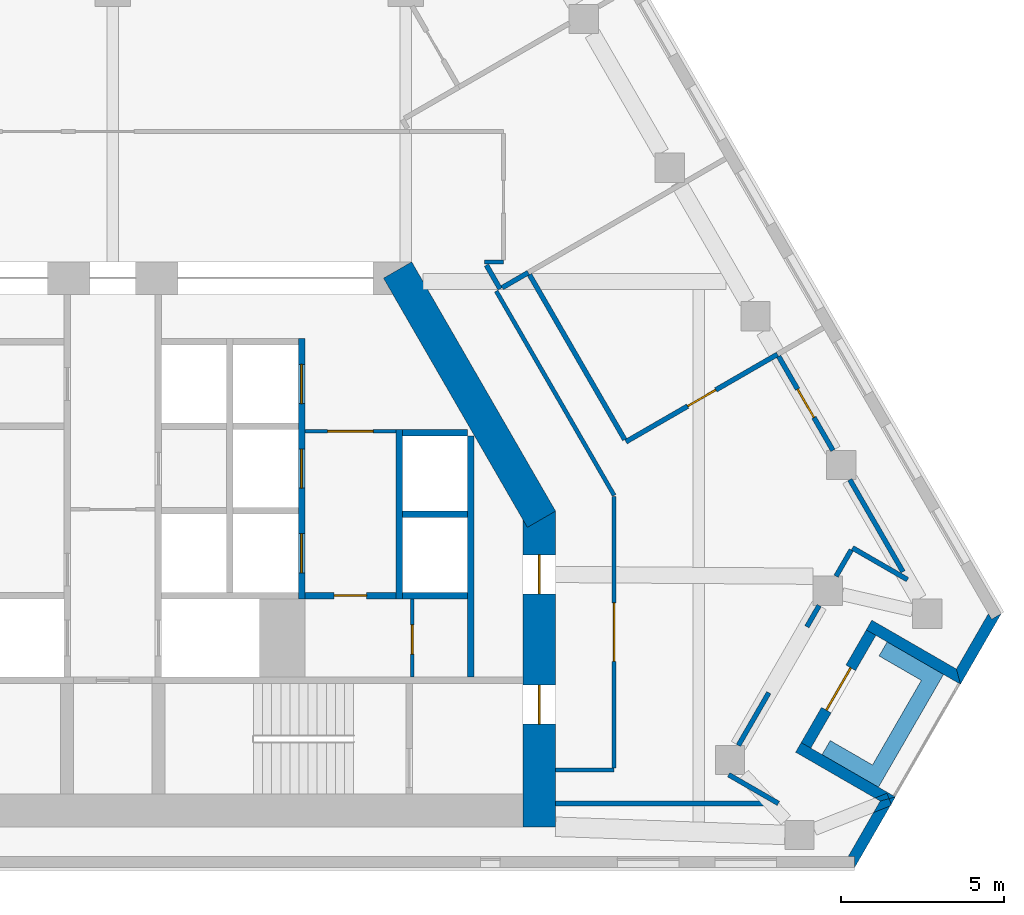
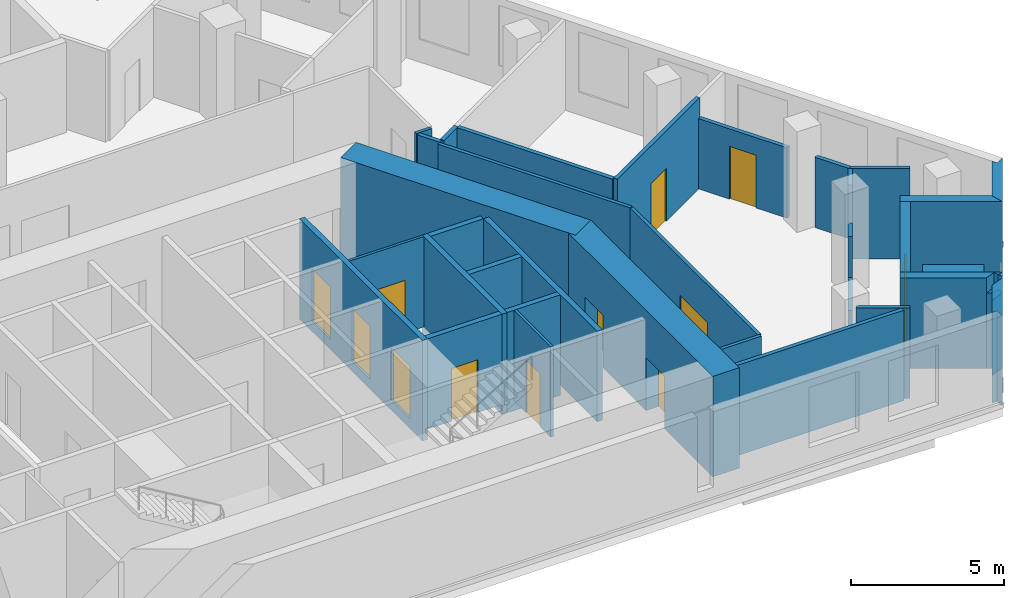
# One storey, part 6 of 9: 36 walls, 12 doors, 12 openings.
"""IFC4 building model written with IfcOpenShell, lengths in metres."""

from ifc_helpers import new_model, si_unit, direction, frame, frame_2d, origin, place, context, subcontext, project, spatial, polyline, rectangle, outline, extrude, material, layer, layer_set, type_object, element, fill, save


model = new_model("IFC4")

# Units and contexts
model_context = context("Model", 3, precision=1e-05, world=origin(), true_north=direction((0.0, 1.0)))
body_context = subcontext(model_context, "Body", "Model", "MODEL_VIEW")
ifc_project = project(units=[si_unit("LENGTHUNIT", "METRE"), si_unit("AREAUNIT", "SQUARE_METRE"), si_unit("VOLUMEUNIT", "CUBIC_METRE"), si_unit("PLANEANGLEUNIT", "RADIAN"), si_unit("MASSUNIT", "GRAM", prefix="KILO")], contexts=[model_context])

# Site, building, storey
site_placement = place(None, origin())
site = spatial("IfcSite", under=ifc_project, at=site_placement, CompositionType="ELEMENT")
building_placement = place(site_placement, origin())
building = spatial("IfcBuilding", under=site, at=building_placement, Name="Fogline Exchange Tower", CompositionType="ELEMENT")
storey_placement = place(building_placement, frame((0.0, 0.0, 214.10009765625)))
storey = spatial("IfcBuildingStorey", under=building, at=storey_placement, Name="L48", CompositionType="ELEMENT", Elevation=214.10009765625)

# Wall, opening, door
ifc_material_1 = material(Name="Blockwork partition", Category="masonry")
ifc_layer_1 = layer(ifc_material_1, 0.10009765625)
ifc_layer_set_1 = layer_set([ifc_layer_1], Name="CW10")
wall_type_1 = type_object("IfcWallType", Name="CW10", PredefinedType="PARTITIONING", material=ifc_layer_set_1)
wall_1_placement = place(storey_placement, frame((5.89990234375, 13.39990234375, 0.0), z_axis=(0.0, 0.0, 1.0), x_axis=(1.0, 0.0, 0.0)))
wall_1 = element("IfcWall", 1, at=wall_1_placement, inside=storey, type_object=wall_type_1, Name="Lift lobby partition", PredefinedType="PARTITIONING", context=body_context, shape_type="SweptSolid", body=[
    extrude(rectangle(XDim=2.800048828125, YDim=0.10009765625, at=frame_2d((1.39990234375, 0.0))), origin(), (0.0, 0.0, 1.0), 3.599853515625),
])
opening_1_placement = place(wall_1_placement, frame((0.699951171875, 0.0, 0.0)))
opening_1 = element("IfcOpeningElement", 2, at=opening_1_placement, cuts=wall_1, Name="Opening T15-C013", PredefinedType="OPENING", context=body_context, shape_type="SweptSolid", body=[
    extrude(rectangle(XDim=1.39990234375, YDim=2.10009765625, at=frame_2d((0.699951171875, 1.050048828125))), frame((0.0, 0.06005859375, 0.0), z_axis=(0.0, -1.0, 0.0), x_axis=(1.0, 0.0, 0.0)), (0.0, 0.0, 1.0), 0.1201171875),
])
ifc_material_2 = material(Name="Steel and timber fire door", Category="steel")
door_type_1 = type_object("IfcDoorType", Name="D-LB1", OperationType="DOUBLE_DOOR_SINGLE_SWING", PredefinedType="DOOR", material=ifc_material_2)
door_1_placement = place(opening_1_placement, frame((1.39990234375, 0.0, 0.0), z_axis=(0.0, 0.0, 1.0), x_axis=(-1.0, 0.0, 0.0)))
door_1 = element("IfcDoor", 3, at=door_1_placement, inside=storey, type_object=door_type_1, Name="Door to lift lobby", OperationType="DOUBLE_DOOR_SINGLE_SWING", OverallHeight=2.10009765625, OverallWidth=1.39990234375, PredefinedType="DOOR", context=body_context, shape_type="SweptSolid", body=[
    extrude(rectangle(XDim=1.39990234375, YDim=2.10009765625, at=frame_2d((0.699951171875, 1.050048828125))), frame((0.0, 0.02490234375, 0.0), z_axis=(0.0, -1.0, 0.0), x_axis=(1.0, 0.0, 0.0)), (0.0, 0.0, 1.0), 0.050048828125),
])
fill(opening_1, door_1)

wall_2_placement = place(storey_placement, frame((9.199951171875, 5.85009765625, 0.0), z_axis=(0.0, 0.0, 1.0), x_axis=(0.0, 1.0, 0.0)))
wall_2 = element("IfcWall", 4, at=wall_2_placement, inside=storey, type_object=wall_type_1, Name="WC partition", PredefinedType="PARTITIONING", context=body_context, shape_type="SweptSolid", body=[
    extrude(rectangle(XDim=2.39990234375, YDim=0.10009765625, at=frame_2d((1.199951171875, 0.0))), origin(), (0.0, 0.0, 1.0), 3.599853515625),
])
opening_2_placement = place(wall_2_placement, frame((0.699951171875, 0.0, 0.0)))
opening_2 = element("IfcOpeningElement", 5, at=opening_2_placement, cuts=wall_2, Name="Opening T15-C015", PredefinedType="OPENING", context=body_context, shape_type="SweptSolid", body=[
    extrude(rectangle(XDim=0.89990234375, YDim=2.10009765625, at=frame_2d((0.449951171875, 1.050048828125))), frame((0.0, 0.06005859375, 0.0), z_axis=(0.0, -1.0, 0.0), x_axis=(1.0, 0.0, 0.0)), (0.0, 0.0, 1.0), 0.1201171875),
])
door_type_2 = type_object("IfcDoorType", Name="D-CS1", OperationType="SINGLE_SWING_RIGHT", PredefinedType="DOOR", material=ifc_material_2)
door_2_placement = place(opening_2_placement, frame((0.89990234375, 0.0, 0.0), z_axis=(0.0, 0.0, 1.0), x_axis=(-1.0, 0.0, 0.0)))
door_2 = element("IfcDoor", 6, at=door_2_placement, inside=storey, type_object=door_type_2, Name="Door to Cleaner's Store", OperationType="SINGLE_SWING_RIGHT", OverallHeight=2.10009765625, OverallWidth=0.89990234375, PredefinedType="DOOR", context=body_context, shape_type="SweptSolid", body=[
    extrude(rectangle(XDim=0.89990234375, YDim=2.10009765625, at=frame_2d((0.449951171875, 1.050048828125))), frame((0.0, 0.02490234375, 0.0), z_axis=(0.0, -1.0, 0.0), x_axis=(1.0, 0.0, 0.0)), (0.0, 0.0, 1.0), 0.050048828125),
])
fill(opening_2, door_2)

# Wall
ifc_material_3 = material(Name="Concrete C40", Category="concrete")
ifc_layer_2 = layer(ifc_material_3, 0.199951171875)
ifc_layer_set_2 = layer_set([ifc_layer_2], Name="CW20")
wall_type_2 = type_object("IfcWallType", Name="CW20", PredefinedType="SOLIDWALL", material=ifc_layer_set_2)
wall_3_placement = place(storey_placement, frame((11.0, 5.85009765625, 0.0), z_axis=(0.0, 0.0, 1.0), x_axis=(0.0, 1.0, 0.0)))
element("IfcWall", 7, at=wall_3_placement, inside=storey, type_object=wall_type_2, Name="Service room wall", PredefinedType="SOLIDWALL", context=body_context, shape_type="SweptSolid", body=[
    extrude(rectangle(XDim=7.39990234375, YDim=0.199951171875, at=frame_2d((3.699951171875, 0.0))), origin(), (0.0, 0.0, 1.0), 3.599853515625),
])

# Wall, opening, door
wall_4_placement = place(storey_placement, frame((5.89990234375, 8.35009765625, 0.0), z_axis=(0.0, 0.0, 1.0), x_axis=(1.0, 0.0, 0.0)))
wall_4 = element("IfcWall", 8, at=wall_4_placement, inside=storey, type_object=wall_type_2, Name="WC wall", PredefinedType="SOLIDWALL", context=body_context, shape_type="SweptSolid", body=[
    extrude(rectangle(XDim=2.800048828125, YDim=0.199951171875, at=frame_2d((1.39990234375, 0.0))), origin(), (0.0, 0.0, 1.0), 3.599853515625),
])
opening_3_placement = place(wall_4_placement, frame((0.89990234375, 0.0, 0.0)))
opening_3 = element("IfcOpeningElement", 9, at=opening_3_placement, cuts=wall_4, Name="Opening T15-C014", PredefinedType="OPENING", context=body_context, shape_type="SweptSolid", body=[
    extrude(rectangle(XDim=1.0, YDim=2.10009765625, at=frame_2d((0.5, 1.050048828125))), frame((0.0, 0.10986328125, 0.0), z_axis=(0.0, -1.0, 0.0), x_axis=(1.0, 0.0, 0.0)), (0.0, 0.0, 1.0), 0.219970703125),
])
door_type_3 = type_object("IfcDoorType", Name="D-WC1", OperationType="SINGLE_SWING_LEFT", PredefinedType="DOOR", material=ifc_material_2)
door_3_placement = place(opening_3_placement, frame((1.0, 0.0, 0.0), z_axis=(0.0, 0.0, 1.0), x_axis=(-1.0, 0.0, 0.0)))
door_3 = element("IfcDoor", 10, at=door_3_placement, inside=storey, type_object=door_type_3, Name="Door to Women's WC", OperationType="SINGLE_SWING_LEFT", OverallHeight=2.10009765625, OverallWidth=1.0, PredefinedType="DOOR", context=body_context, shape_type="SweptSolid", body=[
    extrude(rectangle(XDim=1.0, YDim=2.10009765625, at=frame_2d((0.5, 1.050048828125))), frame((0.0, 0.02490234375, 0.0), z_axis=(0.0, -1.0, 0.0), x_axis=(1.0, 0.0, 0.0)), (0.0, 0.0, 1.0), 0.050048828125),
])
fill(opening_3, door_3)

# Wall
ifc_layer_3 = layer(ifc_material_3, 0.199951171875)
ifc_layer_set_3 = layer_set([ifc_layer_3], Name="CW20S")
wall_type_3 = type_object("IfcWallType", Name="CW20S", PredefinedType="SOLIDWALL", material=ifc_layer_set_3)
wall_5_placement = place(storey_placement, frame((8.800048828125, 8.25, -0.400146484375), z_axis=(0.0, 0.0, 1.0), x_axis=(0.0, 1.0, 0.0)))
element("IfcWall", 11, at=wall_5_placement, inside=storey, type_object=wall_type_3, Name="Lift shaft wall", PredefinedType="SOLIDWALL", context=body_context, shape_type="SweptSolid", body=[
    extrude(rectangle(XDim=5.199951171875, YDim=0.199951171875, at=frame_2d((2.60009765625, 0.0))), origin(), (0.0, 0.0, 1.0), 4.0),
])

# Wall, openings, doors
wall_6_placement = place(storey_placement, frame((5.800048828125, 8.25, -0.400146484375), z_axis=(0.0, 0.0, 1.0), x_axis=(0.0, 1.0, 0.0)))
wall_6 = element("IfcWall", 12, at=wall_6_placement, inside=storey, type_object=wall_type_3, Name="Lift shaft wall", PredefinedType="SOLIDWALL", context=body_context, shape_type="SweptSolid", body=[
    extrude(rectangle(XDim=8.0, YDim=0.199951171875, at=frame_2d((4.0, 0.0))), origin(), (0.0, 0.0, 1.0), 4.0),
])
opening_4_placement = place(wall_6_placement, frame((0.800048828125, 0.0, 0.39990234375)))
opening_4 = element("IfcOpeningElement", 13, at=opening_4_placement, cuts=wall_6, Name="Opening T15-LD02", PredefinedType="OPENING", context=body_context, shape_type="SweptSolid", body=[
    extrude(rectangle(XDim=1.199951171875, YDim=2.10009765625, at=frame_2d((0.60009765625, 1.050048828125))), frame((0.0, 0.10986328125, 0.0), z_axis=(0.0, -1.0, 0.0), x_axis=(1.0, 0.0, 0.0)), (0.0, 0.0, 1.0), 0.219970703125),
])
opening_5_placement = place(wall_6_placement, frame((3.39990234375, 0.0, 0.39990234375)))
opening_5 = element("IfcOpeningElement", 14, at=opening_5_placement, cuts=wall_6, Name="Opening T15-LD03", PredefinedType="OPENING", context=body_context, shape_type="SweptSolid", body=[
    extrude(rectangle(XDim=1.199951171875, YDim=2.10009765625, at=frame_2d((0.60009765625, 1.050048828125))), frame((0.0, 0.10986328125, 0.0), z_axis=(0.0, -1.0, 0.0), x_axis=(1.0, 0.0, 0.0)), (0.0, 0.0, 1.0), 0.219970703125),
])
opening_6_placement = place(wall_6_placement, frame((6.0, 0.0, 0.39990234375)))
opening_6 = element("IfcOpeningElement", 15, at=opening_6_placement, cuts=wall_6, Name="Opening T15-LD04", PredefinedType="OPENING", context=body_context, shape_type="SweptSolid", body=[
    extrude(rectangle(XDim=1.199951171875, YDim=2.10009765625, at=frame_2d((0.60009765625, 1.050048828125))), frame((0.0, 0.10986328125, 0.0), z_axis=(0.0, -1.0, 0.0), x_axis=(1.0, 0.0, 0.0)), (0.0, 0.0, 1.0), 0.219970703125),
])
door_type_4 = type_object("IfcDoorType", Name="LD1", OperationType="SLIDING_TO_LEFT", PredefinedType="DOOR", material=ifc_material_2)
door_4_placement = place(opening_4_placement, origin())
door_4 = element("IfcDoor", 16, at=door_4_placement, inside=storey, type_object=door_type_4, Name="Landing door MR1", OperationType="SLIDING_TO_LEFT", OverallHeight=2.10009765625, OverallWidth=1.199951171875, PredefinedType="DOOR", context=body_context, shape_type="SweptSolid", body=[
    extrude(rectangle(XDim=1.199951171875, YDim=2.10009765625, at=frame_2d((0.60009765625, 1.050048828125))), frame((0.0, 0.02490234375, 0.0), z_axis=(0.0, -1.0, 0.0), x_axis=(1.0, 0.0, 0.0)), (0.0, 0.0, 1.0), 0.050048828125),
])
fill(opening_4, door_4)
door_5_placement = place(opening_5_placement, origin())
door_5 = element("IfcDoor", 17, at=door_5_placement, inside=storey, type_object=door_type_4, Name="Landing door MR2", OperationType="SLIDING_TO_LEFT", OverallHeight=2.10009765625, OverallWidth=1.199951171875, PredefinedType="DOOR", context=body_context, shape_type="SweptSolid", body=[
    extrude(rectangle(XDim=1.199951171875, YDim=2.10009765625, at=frame_2d((0.60009765625, 1.050048828125))), frame((0.0, 0.02490234375, 0.0), z_axis=(0.0, -1.0, 0.0), x_axis=(1.0, 0.0, 0.0)), (0.0, 0.0, 1.0), 0.050048828125),
])
fill(opening_5, door_5)
door_6_placement = place(opening_6_placement, origin())
door_6 = element("IfcDoor", 18, at=door_6_placement, inside=storey, type_object=door_type_4, Name="Landing door MR3", OperationType="SLIDING_TO_LEFT", OverallHeight=2.10009765625, OverallWidth=1.199951171875, PredefinedType="DOOR", context=body_context, shape_type="SweptSolid", body=[
    extrude(rectangle(XDim=1.199951171875, YDim=2.10009765625, at=frame_2d((0.60009765625, 1.050048828125))), frame((0.0, 0.02490234375, 0.0), z_axis=(0.0, -1.0, 0.0), x_axis=(1.0, 0.0, 0.0)), (0.0, 0.0, 1.0), 0.050048828125),
])
fill(opening_6, door_6)

# Walls
for number, where, z_axis, x_axis, name in (
    (19, (8.89990234375, 8.35009765625, -0.400146484375), (0.0, 0.0, 1.0), (1.0, 0.0, 0.0), "Lift shaft wall"),
    (20, (8.89990234375, 10.85009765625, -0.400146484375), (0.0, 0.0, 1.0), (1.0, 0.0, 0.0), "Lift shaft wall"),
    (21, (8.89990234375, 13.35009765625, -0.400146484375), (0.0, 0.0, 1.0), (1.0, 0.0, 0.0), "Lift shaft wall"),
):
    element("IfcWall", number, at=place(storey_placement, frame(where, z_axis=z_axis, x_axis=x_axis)), inside=storey, type_object=wall_type_3, Name=name, PredefinedType="SOLIDWALL", context=body_context, shape_type="SweptSolid", body=[
        extrude(rectangle(XDim=2.0, YDim=0.199951171875, at=frame_2d((1.0, 0.0))), origin(), (0.0, 0.0, 1.0), 4.0),
    ])
ifc_material_4 = material(Name="Brick masonry", Category="masonry")
ifc_layer_4 = layer(ifc_material_4, 0.340087890625)
ifc_layer_set_4 = layer_set([ifc_layer_4], Name="FW1")
wall_type_4 = type_object("IfcWallType", Name="FW1", PredefinedType="SOLIDWALL", material=ifc_layer_set_4)
wall_7_placement = place(storey_placement, origin())
element("IfcWall", 22, at=wall_7_placement, inside=storey, type_object=wall_type_4, Name="Brick wall L48 SE-c1", PredefinedType="SOLIDWALL", context=body_context, shape_type="SweptSolid", body=[
    extrude(outline(polyline([(23.878173828125, 1.8896484375), (23.3671875, 1.68701171875), (23.57177734375, 2.041015625), (23.84375, 2.114013671875), (23.91064453125, 1.945556640625), (23.878173828125, 1.8896484375)])), origin(), (0.0, 0.0, 1.0), 3.0),
])
wall_8_placement = place(storey_placement, origin())
element("IfcWall", 23, at=wall_8_placement, inside=storey, type_object=wall_type_4, Name="Brick wall L48 SE-c1", PredefinedType="SOLIDWALL", context=body_context, shape_type="SweptSolid", body=[
    extrude(outline(polyline([(23.91064453125, 1.945556640625), (23.84375, 2.114013671875), (24.037353515625, 2.166015625), (24.03759765625, 2.165771484375), (23.91064453125, 1.945556640625)])), origin(), (0.0, 0.0, 1.0), 3.599853515625),
])
wall_9_placement = place(storey_placement, origin())
element("IfcWall", 24, at=wall_9_placement, inside=storey, type_object=wall_type_4, Name="Brick wall L48 SE-c1", PredefinedType="SOLIDWALL", context=body_context, shape_type="SweptSolid", body=[
    extrude(outline(polyline([(22.78662109375, -0.001220703125), (22.785888671875, -0.0009765625), (22.785888671875, 0.33935546875), (22.589111328125, 0.33935546875), (23.3671875, 1.68701171875), (23.878173828125, 1.8896484375), (22.78662109375, -0.001220703125)])), origin(), (0.0, 0.0, 1.0), 3.599853515625),
])
wall_10_placement = place(storey_placement, origin())
element("IfcWall", 25, at=wall_10_placement, inside=storey, type_object=wall_type_4, Name="Brick wall L48 SE-s1", PredefinedType="SOLIDWALL", context=body_context, shape_type="SweptSolid", body=[
    extrude(outline(polyline([(23.572021484375, 2.0400390625), (23.4091796875, 2.134033203125), (23.77783203125, 2.2802734375), (23.84423828125, 2.113037109375), (23.572021484375, 2.0400390625)])), origin(), (0.0, 0.0, 1.0), 3.0),
])
wall_11_placement = place(storey_placement, origin())
element("IfcWall", 26, at=wall_11_placement, inside=storey, type_object=wall_type_4, Name="Brick wall L48 SE-s1", PredefinedType="SOLIDWALL", context=body_context, shape_type="SweptSolid", body=[
    extrude(outline(polyline([(21.143798828125, 3.8359375), (21.438720703125, 3.66552734375), (24.037841796875, 2.1650390625), (24.03759765625, 2.164794921875), (23.84423828125, 2.113037109375), (23.77783203125, 2.2802734375), (23.4091796875, 2.134033203125), (20.97314453125, 3.540283203125), (21.143798828125, 3.8359375)])), origin(), (0.0, 0.0, 1.0), 3.599853515625),
])

# Wall, opening, door
wall_12_placement = place(storey_placement, frame((21.291259765625, 3.75, 0.0), z_axis=(0.0, 0.0, 1.0), x_axis=(0.49999894854, 0.866026010844, 0.0)))
wall_12 = element("IfcWall", 27, at=wall_12_placement, inside=storey, type_object=wall_type_4, Name="Brick wall L48 SE-bk", PredefinedType="SOLIDWALL", context=body_context, shape_type="SweptSolid", body=[
    extrude(rectangle(XDim=4.0, YDim=0.340087890625, at=frame_2d((2.0, 0.0))), origin(), (0.0, 0.0, 1.0), 3.599853515625),
])
opening_7_placement = place(wall_12_placement, frame((1.25, 0.0, 0.0)))
opening_7 = element("IfcOpeningElement", 28, at=opening_7_placement, cuts=wall_12, Name="Opening T15-E081", PredefinedType="OPENING", context=body_context, shape_type="SweptSolid", body=[
    extrude(rectangle(XDim=1.5, YDim=2.39990234375, at=frame_2d((0.75, 1.199951171875))), frame((0.0, 0.18017578125, 0.0), z_axis=(0.0, -1.0, 0.0), x_axis=(1.0, 0.0, 0.0)), (0.0, 0.0, 1.0), 0.360107421875),
])
ifc_material_5 = material(Name="Aluminium and glass", Category="aluminium")
door_type_5 = type_object("IfcDoorType", Name="ED4", OperationType="SINGLE_SWING_LEFT", PredefinedType="DOOR", material=ifc_material_5)
door_7_placement = place(opening_7_placement, frame((1.5, 0.0, 0.0), z_axis=(0.0, 0.0, 1.0), x_axis=(-1.0, 0.0, 0.0)))
door_7 = element("IfcDoor", 29, at=door_7_placement, inside=storey, type_object=door_type_5, Name="Balcony door L48 SE", OperationType="DOUBLE_DOOR_SINGLE_SWING", OverallHeight=2.39990234375, OverallWidth=1.5, PredefinedType="DOOR", context=body_context, shape_type="SweptSolid", body=[
    extrude(rectangle(XDim=1.5, YDim=2.39990234375, at=frame_2d((0.75, 1.199951171875))), frame((0.0, 0.02490234375, 0.0), z_axis=(0.0, -1.0, 0.0), x_axis=(1.0, 0.0, 0.0)), (0.0, 0.0, 1.0), 0.050048828125),
])
fill(opening_7, door_7)

# Walls
wall_13_placement = place(storey_placement, origin())
element("IfcWall", 30, at=wall_13_placement, inside=storey, type_object=wall_type_4, Name="Brick wall L48 SE-s2", PredefinedType="SOLIDWALL", context=body_context, shape_type="SweptSolid", body=[
    extrude(outline(polyline([(26.037109375, 5.628173828125), (23.438232421875, 7.128662109375), (23.14306640625, 7.298828125), (23.313720703125, 7.594482421875), (25.91259765625, 6.093994140625), (26.037353515625, 5.62841796875), (26.037109375, 5.628173828125)])), origin(), (0.0, 0.0, 1.0), 3.599853515625),
])
wall_14_placement = place(storey_placement, origin())
element("IfcWall", 31, at=wall_14_placement, inside=storey, type_object=wall_type_4, Name="Brick wall L48 SE-c2", PredefinedType="SOLIDWALL", context=body_context, shape_type="SweptSolid", body=[
    extrude(outline(polyline([(26.89404296875, 7.79541015625), (26.9921875, 7.625), (27.287109375, 7.79541015625), (27.28759765625, 7.794921875), (26.03662109375, 5.6279296875), (26.0361328125, 5.6279296875), (25.911376953125, 6.09375), (26.89404296875, 7.79541015625)])), origin(), (0.0, 0.0, 1.0), 3.599853515625),
])
ifc_material_6 = material(Name="Concrete C30", Category="concrete")
ifc_layer_5 = layer(ifc_material_6, 0.199951171875)
ifc_layer_set_5 = layer_set([ifc_layer_5], Name="PL1")
wall_type_5 = type_object("IfcWallType", Name="PL1", PredefinedType="USERDEFINED", material=ifc_layer_set_5)
wall_15_placement = place(storey_placement, origin())
element("IfcWall", 32, at=wall_15_placement, inside=storey, type_object=wall_type_5, Name="PLANTER balcony L48 SE", ObjectType="PLANTER", PredefinedType="USERDEFINED", context=body_context, shape_type="SweptSolid", body=[
    extrude(outline(polyline([(21.784912109375, 3.465087890625), (23.083984375, 2.715087890625), (23.083984375, 2.715087890625), (23.516845703125, 2.465087890625), (25.266845703125, 5.49609375), (25.516845703125, 5.92919921875), (23.784912109375, 6.92919921875), (23.534912109375, 6.49609375), (24.833984375, 5.74609375), (23.333984375, 3.148193359375), (22.034912109375, 3.898193359375), (21.784912109375, 3.465087890625)])), origin(), (0.0, 0.0, 1.0), 1.099853515625),
])
ifc_material_7 = material(Name="Plasterboard corridor partition with mineral wool, 2 layers each side")
ifc_layer_6 = layer(ifc_material_7, 0.125)
ifc_layer_set_6 = layer_set([ifc_layer_6], Name="PW2")
wall_type_6 = type_object("IfcWallType", Name="PW2", PredefinedType="PARTITIONING", material=ifc_layer_set_6)
wall_16_placement = place(storey_placement, frame((11.77734375, 17.702392578125, 0.0), z_axis=(0.0, 0.0, 1.0), x_axis=(0.499987887718, -0.866032396701, 0.0)))
element("IfcWall", 33, at=wall_16_placement, inside=storey, type_object=wall_type_6, Name="wall-L48-W001", PredefinedType="PARTITIONING", context=body_context, shape_type="SweptSolid", body=[
    extrude(rectangle(XDim=7.245361328125, YDim=0.125, at=frame_2d((3.62255859375, 0.0))), origin(), (0.0, 0.0, 1.0), 3.599853515625),
])

# Wall, opening, door
wall_17_placement = place(storey_placement, frame((15.39990234375, 11.396728515625, 0.0), z_axis=(0.0, 0.0, 1.0), x_axis=(0.0, -1.0, 0.0)))
wall_17 = element("IfcWall", 34, at=wall_17_placement, inside=storey, type_object=wall_type_6, Name="wall-L48-W002", PredefinedType="PARTITIONING", context=body_context, shape_type="SweptSolid", body=[
    extrude(rectangle(XDim=8.334228515625, YDim=0.125, at=frame_2d((4.1669921875, 0.0))), origin(), (0.0, 0.0, 1.0), 3.599853515625),
])
opening_8_placement = place(wall_17_placement, frame((3.26708984375, 0.0, 0.0)))
opening_8 = element("IfcOpeningElement", 35, at=opening_8_placement, cuts=wall_17, Name="Opening T15-D001", PredefinedType="OPENING", context=body_context, shape_type="SweptSolid", body=[
    extrude(rectangle(XDim=1.800048828125, YDim=2.10009765625, at=frame_2d((0.89990234375, 1.050048828125))), frame((0.0, 0.072509765625, 0.0), z_axis=(0.0, -1.0, 0.0), x_axis=(1.0, 0.0, 0.0)), (0.0, 0.0, 1.0), 0.14501953125),
])
ifc_material_8 = material(Name="Fire-rated timber door leaves with steel frame", Category="steel")
door_type_6 = type_object("IfcDoorType", Name="D4", OperationType="DOUBLE_DOOR_SINGLE_SWING", PredefinedType="DOOR", material=ifc_material_8)
door_8_placement = place(opening_8_placement, frame((1.800048828125, 0.0, 0.0), z_axis=(0.0, 0.0, 1.0), x_axis=(-1.0, 0.0, 0.0)))
door_8 = element("IfcDoor", 36, at=door_8_placement, inside=storey, type_object=door_type_6, Name="door-L48-D001", OperationType="DOUBLE_DOOR_SINGLE_SWING", OverallHeight=2.10009765625, OverallWidth=1.800048828125, PredefinedType="DOOR", context=body_context, shape_type="SweptSolid", body=[
    extrude(rectangle(XDim=1.800048828125, YDim=2.10009765625, at=frame_2d((0.89990234375, 1.050048828125))), frame((0.0, 0.02490234375, 0.0), z_axis=(0.0, -1.0, 0.0), x_axis=(1.0, 0.0, 0.0)), (0.0, 0.0, 1.0), 0.050048828125),
])
fill(opening_8, door_8)

# Walls
wall_18_placement = place(storey_placement, frame((15.39990234375, 3.0, 0.0), z_axis=(0.0, 0.0, 1.0), x_axis=(-1.0, 0.0, 0.0)))
element("IfcWall", 37, at=wall_18_placement, inside=storey, type_object=wall_type_6, Name="wall-L48-W003", PredefinedType="PARTITIONING", context=body_context, shape_type="SweptSolid", body=[
    extrude(rectangle(XDim=1.7998046875, YDim=0.125, at=frame_2d((0.89990234375, 0.0))), origin(), (0.0, 0.0, 1.0), 3.599853515625),
])
wall_19_placement = place(storey_placement, frame((12.0, 18.60009765625, 0.0), z_axis=(0.0, 0.0, 1.0), x_axis=(-1.0, 0.0, 0.0)))
element("IfcWall", 38, at=wall_19_placement, inside=storey, type_object=wall_type_6, Name="wall-L48-W006", PredefinedType="PARTITIONING", context=body_context, shape_type="SweptSolid", body=[
    extrude(rectangle(XDim=0.58251953125, YDim=0.125, at=frame_2d((0.291259765625, 0.0))), origin(), (0.0, 0.0, 1.0), 3.599853515625),
])
ifc_material_9 = material(Name="Plasterboard demising partition with mineral wool and acoustic board")
ifc_layer_7 = layer(ifc_material_9, 0.14990234375)
ifc_layer_set_7 = layer_set([ifc_layer_7], Name="PW3")
wall_type_7 = type_object("IfcWallType", Name="PW3", PredefinedType="PARTITIONING", material=ifc_layer_set_7)
wall_20_placement = place(storey_placement, frame((12.761962890625, 18.271484375, 0.0), z_axis=(0.0, 0.0, 1.0), x_axis=(-0.865943820382, -0.500141279983, 0.0)))
element("IfcWall", 39, at=wall_20_placement, inside=storey, type_object=wall_type_7, Name="wall-L48-W020", PredefinedType="PARTITIONING", context=body_context, shape_type="SweptSolid", body=[
    extrude(rectangle(XDim=0.925048828125, YDim=0.14990234375, at=frame_2d((0.46240234375, 0.0))), origin(), (0.0, 0.0, 1.0), 3.599853515625),
])
wall_21_placement = place(storey_placement, frame((11.89599609375, 17.771484375, 0.0), z_axis=(0.0, 0.0, 1.0), x_axis=(-0.500074377092, 0.865982457891, 0.0)))
element("IfcWall", 40, at=wall_21_placement, inside=storey, type_object=wall_type_7, Name="wall-L48-W021", PredefinedType="PARTITIONING", context=body_context, shape_type="SweptSolid", body=[
    extrude(rectangle(XDim=0.840576171875, YDim=0.14990234375, at=frame_2d((0.42041015625, 0.0))), origin(), (0.0, 0.0, 1.0), 3.599853515625),
])
wall_22_placement = place(storey_placement, frame((13.60009765625, 1.967529296875, 0.0), z_axis=(0.0, 0.0, 1.0), x_axis=(1.0, 0.0, 0.0)))
element("IfcWall", 41, at=wall_22_placement, inside=storey, type_object=wall_type_7, Name="wall-L48-W046", PredefinedType="PARTITIONING", context=body_context, shape_type="SweptSolid", body=[
    extrude(rectangle(XDim=6.563232421875, YDim=0.14990234375, at=frame_2d((3.28173828125, 0.0))), origin(), (0.0, 0.0, 1.0), 3.599853515625),
])
wall_23_placement = place(storey_placement, frame((20.443603515625, 1.967529296875, 0.0), z_axis=(0.0, 0.0, 1.0), x_axis=(-0.866010328312, 0.500026110575, 0.0)))
element("IfcWall", 42, at=wall_23_placement, inside=storey, type_object=wall_type_7, Name="wall-L48-W047", PredefinedType="PARTITIONING", context=body_context, shape_type="SweptSolid", body=[
    extrude(rectangle(XDim=1.76318359375, YDim=0.14990234375, at=frame_2d((0.881591796875, 0.0))), origin(), (0.0, 0.0, 1.0), 3.599853515625),
])
wall_24_placement = place(storey_placement, frame((19.215087890625, 3.7490234375, 0.0), z_axis=(0.0, 0.0, 1.0), x_axis=(0.499959873864, 0.866048569381, 0.0)))
element("IfcWall", 43, at=wall_24_placement, inside=storey, type_object=wall_type_7, Name="wall-L48-W048", PredefinedType="PARTITIONING", context=body_context, shape_type="SweptSolid", body=[
    extrude(rectangle(XDim=1.869384765625, YDim=0.14990234375, at=frame_2d((0.9345703125, 0.0))), origin(), (0.0, 0.0, 1.0), 2.7998046875),
])
wall_25_placement = place(storey_placement, frame((21.3193359375, 7.393798828125, 0.0), z_axis=(0.0, 0.0, 1.0), x_axis=(0.500153222552, 0.865936922628, 0.0)))
element("IfcWall", 44, at=wall_25_placement, inside=storey, type_object=wall_type_7, Name="wall-L48-W049", PredefinedType="PARTITIONING", context=body_context, shape_type="SweptSolid", body=[
    extrude(rectangle(XDim=0.752197265625, YDim=0.14990234375, at=frame_2d((0.3759765625, 0.0))), origin(), (0.0, 0.0, 1.0), 2.7998046875),
])
wall_26_placement = place(storey_placement, frame((22.215087890625, 8.9453125, 0.0), z_axis=(0.0, 0.0, 1.0), x_axis=(0.500198977292, 0.865910493709, 0.0)))
element("IfcWall", 45, at=wall_26_placement, inside=storey, type_object=wall_type_7, Name="wall-L48-W050", PredefinedType="PARTITIONING", context=body_context, shape_type="SweptSolid", body=[
    extrude(rectangle(XDim=0.93115234375, YDim=0.14990234375, at=frame_2d((0.465576171875, 0.0))), origin(), (0.0, 0.0, 1.0), 3.599853515625),
])
wall_27_placement = place(storey_placement, frame((22.71826171875, 9.81689453125, 0.0), z_axis=(0.0, 0.0, 1.0), x_axis=(0.865990075325, -0.500061185694, 0.0)))
element("IfcWall", 46, at=wall_27_placement, inside=storey, type_object=wall_type_7, Name="wall-L48-W051", PredefinedType="PARTITIONING", context=body_context, shape_type="SweptSolid", body=[
    extrude(rectangle(XDim=1.954833984375, YDim=0.14990234375, at=frame_2d((0.9775390625, 0.0))), origin(), (0.0, 0.0, 1.0), 3.599853515625),
])
wall_28_placement = place(storey_placement, frame((24.27099609375, 9.082275390625, 0.0), z_axis=(0.0, 0.0, 1.0), x_axis=(-0.499989896707, 0.866031236845, 0.0)))
element("IfcWall", 47, at=wall_28_placement, inside=storey, type_object=wall_type_7, Name="wall-L48-W052", PredefinedType="PARTITIONING", context=body_context, shape_type="SweptSolid", body=[
    extrude(rectangle(XDim=3.26611328125, YDim=0.14990234375, at=frame_2d((1.633056640625, 0.0))), origin(), (0.0, 0.0, 1.0), 2.7998046875),
])

# Wall, opening, door
wall_29_placement = place(storey_placement, frame((22.118408203125, 12.810791015625, 0.0), z_axis=(0.0, 0.0, 1.0), x_axis=(-0.500039553057, 0.866002566612, 0.0)))
wall_29 = element("IfcWall", 48, at=wall_29_placement, inside=storey, type_object=wall_type_7, Name="wall-L48-W053", PredefinedType="PARTITIONING", context=body_context, shape_type="SweptSolid", body=[
    extrude(rectangle(XDim=3.332275390625, YDim=0.14990234375, at=frame_2d((1.666015625, 0.0))), origin(), (0.0, 0.0, 1.0), 2.7998046875),
])
opening_9_placement = place(wall_29_placement, frame((1.166015625, 0.0, 0.0)))
opening_9 = element("IfcOpeningElement", 49, at=opening_9_placement, cuts=wall_29, Name="Opening T15-D013", PredefinedType="OPENING", context=body_context, shape_type="SweptSolid", body=[
    extrude(rectangle(XDim=1.0, YDim=2.10009765625, at=frame_2d((0.5, 1.050048828125))), frame((0.0, 0.0849609375, 0.0), z_axis=(0.0, -1.0, 0.0), x_axis=(1.0, 0.0, 0.0)), (0.0, 0.0, 1.0), 0.169921875),
])
ifc_material_10 = material(Name="Fire-rated timber door leaf with steel frame", Category="steel")
door_type_7 = type_object("IfcDoorType", Name="D3", OperationType="SINGLE_SWING_LEFT", PredefinedType="DOOR", material=ifc_material_10)
door_9_placement = place(opening_9_placement, frame((1.0, 0.0, 0.0), z_axis=(0.0, 0.0, 1.0), x_axis=(-1.0, 0.0, 0.0)))
door_9 = element("IfcDoor", 50, at=door_9_placement, inside=storey, type_object=door_type_7, Name="door-L48-D013", OperationType="SINGLE_SWING_LEFT", OverallHeight=2.10009765625, OverallWidth=1.0, PredefinedType="DOOR", context=body_context, shape_type="SweptSolid", body=[
    extrude(rectangle(XDim=1.0, YDim=2.10009765625, at=frame_2d((0.5, 1.050048828125))), frame((0.0, 0.02490234375, 0.0), z_axis=(0.0, -1.0, 0.0), x_axis=(1.0, 0.0, 0.0)), (0.0, 0.0, 1.0), 0.050048828125),
])
fill(opening_9, door_9)

# Wall
wall_30_placement = place(storey_placement, frame((12.799560546875, 18.206298828125, 0.0), z_axis=(0.0, 0.0, 1.0), x_axis=(0.500030735058, -0.866007658163, 0.0)))
element("IfcWall", 51, at=wall_30_placement, inside=storey, type_object=wall_type_7, Name="wall-L48-W055", PredefinedType="PARTITIONING", context=body_context, shape_type="SweptSolid", body=[
    extrude(rectangle(XDim=5.849853515625, YDim=0.14990234375, at=frame_2d((2.9248046875, 0.0))), origin(), (0.0, 0.0, 1.0), 3.599853515625),
])

# Wall, opening, door
wall_31_placement = place(storey_placement, frame((15.761962890625, 13.0751953125, 0.0), z_axis=(0.0, 0.0, 1.0), x_axis=(0.866028186671, 0.499995179869, 0.0)))
wall_31 = element("IfcWall", 52, at=wall_31_placement, inside=storey, type_object=wall_type_7, Name="wall-L48-W056", PredefinedType="PARTITIONING", context=body_context, shape_type="SweptSolid", body=[
    extrude(rectangle(XDim=5.37255859375, YDim=0.14990234375, at=frame_2d((2.686279296875, 0.0))), origin(), (0.0, 0.0, 1.0), 3.599853515625),
])
opening_10_placement = place(wall_31_placement, frame((2.186279296875, 0.0, 0.0)))
opening_10 = element("IfcOpeningElement", 53, at=opening_10_placement, cuts=wall_31, Name="Opening T15-D014", PredefinedType="OPENING", context=body_context, shape_type="SweptSolid", body=[
    extrude(rectangle(XDim=1.0, YDim=2.10009765625, at=frame_2d((0.5, 1.050048828125))), frame((0.0, 0.0849609375, 0.0), z_axis=(0.0, -1.0, 0.0), x_axis=(1.0, 0.0, 0.0)), (0.0, 0.0, 1.0), 0.169921875),
])
door_10_placement = place(opening_10_placement, origin())
door_10 = element("IfcDoor", 54, at=door_10_placement, inside=storey, type_object=door_type_7, Name="door-L48-D014", OperationType="SINGLE_SWING_LEFT", OverallHeight=2.10009765625, OverallWidth=1.0, PredefinedType="DOOR", context=body_context, shape_type="SweptSolid", body=[
    extrude(rectangle(XDim=1.0, YDim=2.10009765625, at=frame_2d((0.5, 1.050048828125))), frame((0.0, 0.02490234375, 0.0), z_axis=(0.0, -1.0, 0.0), x_axis=(1.0, 0.0, 0.0)), (0.0, 0.0, 1.0), 0.050048828125),
])
fill(opening_10, door_10)

# Wall, openings, doors
ifc_material_11 = material(Name="Concrete C60", Category="concrete")
ifc_layer_8 = layer(ifc_material_11, 1.0)
ifc_layer_set_8 = layer_set([ifc_layer_8], Name="SW03")
wall_type_8 = type_object("IfcWallType", Name="SW03", PredefinedType="SHEAR", material=ifc_layer_set_8)
wall_32_placement = place(storey_placement, frame((13.10009765625, 1.25, 0.0), z_axis=(0.0, 0.0, 1.0), x_axis=(0.0, 1.0, 0.0)))
wall_32 = element("IfcWall", 55, at=wall_32_placement, inside=storey, type_object=wall_type_8, Name="L48-W902", PredefinedType="SHEAR", context=body_context, shape_type="SweptSolid", body=[
    extrude(rectangle(XDim=9.6953125, YDim=1.0, at=frame_2d((4.84765625, 0.0))), origin(), (0.0, 0.0, 1.0), 4.0),
])
opening_11_placement = place(wall_32_placement, frame((3.14990234375, 0.0, 0.0)))
opening_11 = element("IfcOpeningElement", 56, at=opening_11_placement, cuts=wall_32, Name="Opening T15-C016", PredefinedType="OPENING", context=body_context, shape_type="SweptSolid", body=[
    extrude(rectangle(XDim=1.199951171875, YDim=2.10009765625, at=frame_2d((0.60009765625, 1.050048828125))), frame((0.0, 0.510009765625, 0.0), z_axis=(0.0, -1.0, 0.0), x_axis=(1.0, 0.0, 0.0)), (0.0, 0.0, 1.0), 1.02001953125),
])
opening_12_placement = place(wall_32_placement, frame((7.14990234375, 0.0, 0.0)))
opening_12 = element("IfcOpeningElement", 57, at=opening_12_placement, cuts=wall_32, Name="Opening T15-C018", PredefinedType="OPENING", context=body_context, shape_type="SweptSolid", body=[
    extrude(rectangle(XDim=1.199951171875, YDim=2.10009765625, at=frame_2d((0.60009765625, 1.050048828125))), frame((0.0, 0.510009765625, 0.0), z_axis=(0.0, -1.0, 0.0), x_axis=(1.0, 0.0, 0.0)), (0.0, 0.0, 1.0), 1.02001953125),
])
door_type_8 = type_object("IfcDoorType", Name="D-FR1", OperationType="SINGLE_SWING_RIGHT", PredefinedType="DOOR", material=ifc_material_2)
door_11_placement = place(opening_11_placement, origin())
door_11 = element("IfcDoor", 58, at=door_11_placement, inside=storey, type_object=door_type_8, Name="Front room door ST2", OperationType="SINGLE_SWING_RIGHT", OverallHeight=2.10009765625, OverallWidth=1.199951171875, PredefinedType="DOOR", context=body_context, shape_type="SweptSolid", body=[
    extrude(rectangle(XDim=1.199951171875, YDim=2.10009765625, at=frame_2d((0.60009765625, 1.050048828125))), frame((0.0, 0.02490234375, 0.0), z_axis=(0.0, -1.0, 0.0), x_axis=(1.0, 0.0, 0.0)), (0.0, 0.0, 1.0), 0.050048828125),
])
fill(opening_11, door_11)
door_type_9 = type_object("IfcDoorType", Name="D-SV1", OperationType="SINGLE_SWING_LEFT", PredefinedType="DOOR", material=ifc_material_2)
door_12_placement = place(opening_12_placement, origin())
door_12 = element("IfcDoor", 59, at=door_12_placement, inside=storey, type_object=door_type_9, Name="Service door E", OperationType="SINGLE_SWING_RIGHT", OverallHeight=2.10009765625, OverallWidth=1.199951171875, PredefinedType="DOOR", context=body_context, shape_type="SweptSolid", body=[
    extrude(rectangle(XDim=1.199951171875, YDim=2.10009765625, at=frame_2d((0.60009765625, 1.050048828125))), frame((0.0, 0.02490234375, 0.0), z_axis=(0.0, -1.0, 0.0), x_axis=(1.0, 0.0, 0.0)), (0.0, 0.0, 1.0), 0.050048828125),
])
fill(opening_12, door_12)

# Wall
wall_33_placement = place(storey_placement, frame((13.1669921875, 10.6953125, 0.0), z_axis=(0.0, 0.0, 1.0), x_axis=(-0.499995021168, 0.866028278295, 0.0)))
element("IfcWall", 60, at=wall_33_placement, inside=storey, type_object=wall_type_8, Name="L48-W903", PredefinedType="SHEAR", context=body_context, shape_type="SweptSolid", body=[
    extrude(rectangle(XDim=8.8388671875, YDim=1.0, at=frame_2d((4.41943359375, 0.0))), origin(), (0.0, 0.0, 1.0), 4.0),
])

save(model, "model.ifc")
